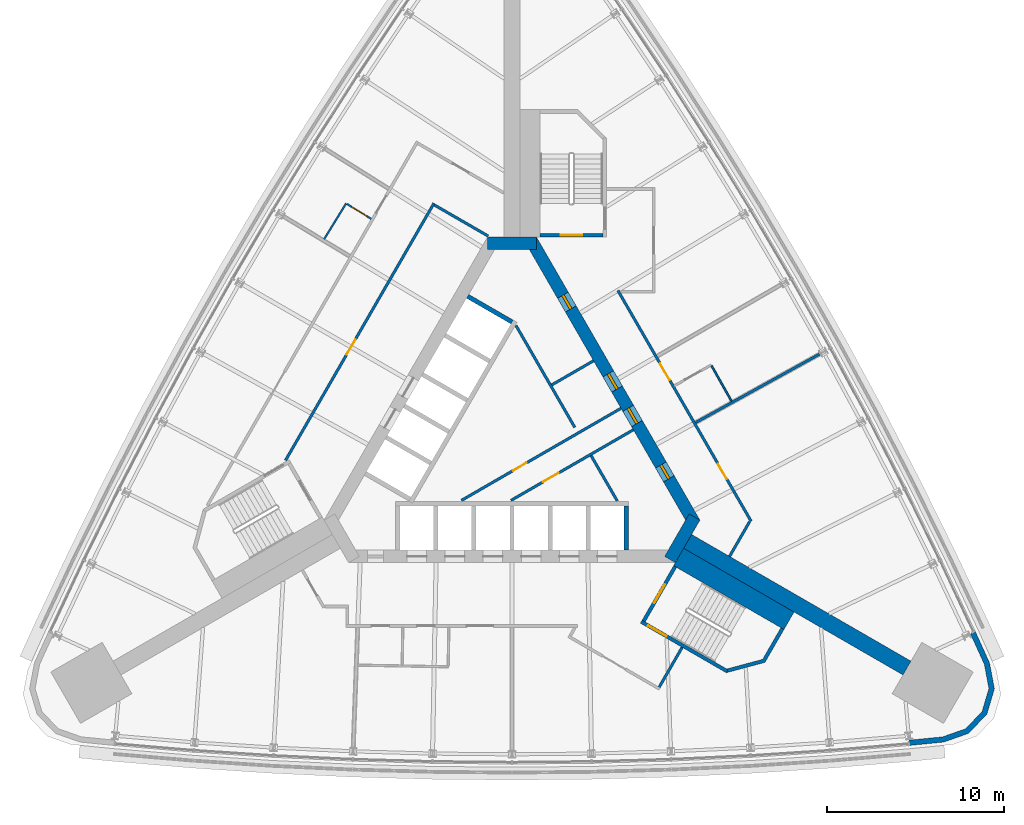
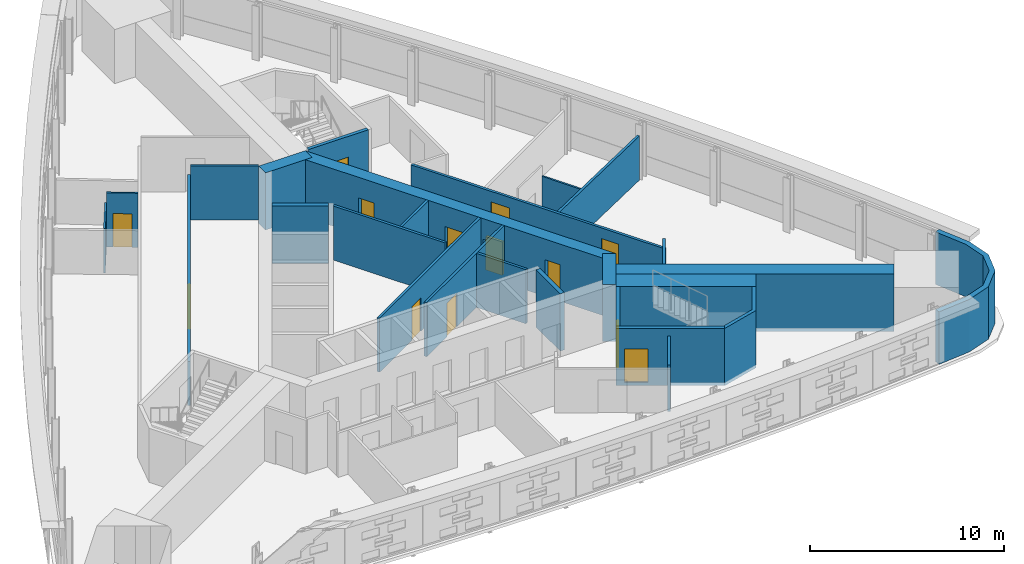
# One storey, part 11 of 14: 26 walls, 13 doors, 13 openings.
"""IFC4 building model written with IfcOpenShell, lengths in metres."""

from ifc_helpers import new_model, si_unit, direction, frame, frame_2d, origin, place, context, subcontext, project, spatial, polyline, rectangle, outline, extrude, material, layer, layer_set, type_object, element, fill, save


model = new_model("IFC4")

# Units and contexts
model_context = context("Model", 3, precision=1e-05, world=origin(), true_north=direction((0.0, 1.0)))
body_context = subcontext(model_context, "Body", "Model", "MODEL_VIEW")
ifc_project = project(units=[si_unit("LENGTHUNIT", "METRE"), si_unit("AREAUNIT", "SQUARE_METRE"), si_unit("VOLUMEUNIT", "CUBIC_METRE"), si_unit("PLANEANGLEUNIT", "RADIAN"), si_unit("MASSUNIT", "GRAM", prefix="KILO")], contexts=[model_context])

# Site, building, storey
site_placement = place(None, origin())
site = spatial("IfcSite", under=ifc_project, at=site_placement, CompositionType="ELEMENT")
building_placement = place(site_placement, origin())
building = spatial("IfcBuilding", under=site, at=building_placement, Name="Noor Cloister Tower", CompositionType="ELEMENT")
storey_placement = place(building_placement, frame((0.0, 0.0, 34.800048828125)))
storey = spatial("IfcBuildingStorey", under=building, at=storey_placement, Name="L08", CompositionType="ELEMENT", Elevation=34.800048828125)

# Wall
ifc_material_1 = material(Name="Concrete C80/95", Category="concrete")
ifc_layer_1 = layer(ifc_material_1, 0.89990234375)
ifc_layer_set_1 = layer_set([ifc_layer_1], Name="Buttress wall 900 C80/95")
wall_type_1 = type_object("IfcWallType", Name="Buttress wall 900 C80/95", PredefinedType="SHEAR", material=ifc_layer_set_1)
wall_1_placement = place(storey_placement, frame((9.921630859375, -5.728271484375, -0.199951171875), z_axis=(0.0, 0.0, 1.0), x_axis=(0.866025331845, -0.500000124603, 0.0)))
element("IfcWall", 1, at=wall_1_placement, inside=storey, type_object=wall_type_1, Name="Buttress wall SE L08", PredefinedType="SHEAR", context=body_context, shape_type="SweptSolid", body=[
    extrude(rectangle(XDim=14.30859375, YDim=0.89990234375, at=frame_2d((7.154296875, 0.0))), origin(), (0.0, 0.0, 1.0), 3.599853515625),
])

# Wall, opening, door
ifc_material_2 = material(Name="Concrete C30/37", Category="concrete")
ifc_layer_2 = layer(ifc_material_2, 0.14990234375)
ifc_layer_set_2 = layer_set([ifc_layer_2], Name="Core partition 150 C30/37")
wall_type_2 = type_object("IfcWallType", Name="Core partition 150 C30/37", PredefinedType="PARTITIONING", material=ifc_layer_set_2)
wall_2_placement = place(storey_placement, frame((-2.8544921875, -3.4130859375, 0.0), z_axis=(0.0, 0.0, 1.0), x_axis=(0.866030102318, 0.499991861813, 0.0)))
wall_2 = element("IfcWall", 2, at=wall_2_placement, inside=storey, type_object=wall_type_2, Name="Core room partition L08 1", PredefinedType="PARTITIONING", context=body_context, shape_type="SweptSolid", body=[
    extrude(rectangle(XDim=10.406982421875, YDim=0.14990234375, at=frame_2d((5.20361328125, 0.0))), origin(), (0.0, 0.0, 1.0), 3.39990234375),
])
opening_1_placement = place(wall_2_placement, frame((3.3544921875, 0.0, 0.0)))
opening_1 = element("IfcOpeningElement", 3, at=opening_1_placement, cuts=wall_2, Name="Opening L08-906", PredefinedType="OPENING", context=body_context, shape_type="SweptSolid", body=[
    extrude(rectangle(XDim=0.89990234375, YDim=2.10009765625, at=frame_2d((0.449951171875, 1.050048828125))), frame((0.0, 0.0849609375, 0.0), z_axis=(0.0, -1.0, 0.0), x_axis=(1.0, 0.0, 0.0)), (0.0, 0.0, 1.0), 0.169921875),
])
ifc_material_3 = material(Name="Steel", Category="steel")
door_type_1 = type_object("IfcDoorType", Name="Core door 900 x 2100 FD120", OperationType="SINGLE_SWING_LEFT", PredefinedType="DOOR", material=ifc_material_3)
door_1_placement = place(opening_1_placement, origin())
door_1 = element("IfcDoor", 4, at=door_1_placement, inside=storey, type_object=door_type_1, Name="Core door 6 L08", OperationType="SINGLE_SWING_RIGHT", OverallHeight=2.10009765625, OverallWidth=0.89990234375, PredefinedType="DOOR", context=body_context, shape_type="SweptSolid", body=[
    extrude(rectangle(XDim=0.89990234375, YDim=2.10009765625, at=frame_2d((0.449951171875, 1.050048828125))), frame((0.0, 0.02490234375, 0.0), z_axis=(0.0, -1.0, 0.0), x_axis=(1.0, 0.0, 0.0)), (0.0, 0.0, 1.0), 0.050048828125),
])
fill(opening_1, door_1)

# Wall
wall_3_placement = place(storey_placement, frame((5.944091796875, -3.439208984375, 0.0), z_axis=(0.0, 0.0, 1.0), x_axis=(-0.499997367627, 0.86602692358, 0.0)))
element("IfcWall", 5, at=wall_3_placement, inside=storey, type_object=wall_type_2, Name="Core room partition L08 2", PredefinedType="PARTITIONING", context=body_context, shape_type="SweptSolid", body=[
    extrude(rectangle(XDim=2.94677734375, YDim=0.14990234375, at=frame_2d((1.473388671875, 0.0))), origin(), (0.0, 0.0, 1.0), 3.39990234375),
])

# Wall, opening, door
wall_4_placement = place(storey_placement, frame((-0.054443359375, -3.4130859375, 0.0), z_axis=(0.0, 0.0, 1.0), x_axis=(0.866026668906, 0.499997808738, 0.0)))
wall_4 = element("IfcWall", 6, at=wall_4_placement, inside=storey, type_object=wall_type_2, Name="Core room partition L08 3", PredefinedType="PARTITIONING", context=body_context, shape_type="SweptSolid", body=[
    extrude(rectangle(XDim=7.98193359375, YDim=0.14990234375, at=frame_2d((3.990966796875, 0.0))), origin(), (0.0, 0.0, 1.0), 3.39990234375),
])
opening_2_placement = place(wall_4_placement, frame((2.092041015625, 0.0, 0.0)))
opening_2 = element("IfcOpeningElement", 7, at=opening_2_placement, cuts=wall_4, Name="Opening L08-905", PredefinedType="OPENING", context=body_context, shape_type="SweptSolid", body=[
    extrude(rectangle(XDim=1.0, YDim=2.10009765625, at=frame_2d((0.5, 1.050048828125))), frame((0.0, 0.0849609375, 0.0), z_axis=(0.0, -1.0, 0.0), x_axis=(1.0, 0.0, 0.0)), (0.0, 0.0, 1.0), 0.169921875),
])
ifc_material_4 = material(Name="Steel", Category="steel")
door_type_2 = type_object("IfcDoorType", Name="Core door 1000 x 2100 FD60", OperationType="SINGLE_SWING_LEFT", PredefinedType="DOOR", material=ifc_material_4)
door_2_placement = place(opening_2_placement, origin())
door_2 = element("IfcDoor", 8, at=door_2_placement, inside=storey, type_object=door_type_2, Name="Core door 5 L08", OperationType="SINGLE_SWING_LEFT", OverallHeight=2.10009765625, OverallWidth=1.0, PredefinedType="DOOR", context=body_context, shape_type="SweptSolid", body=[
    extrude(rectangle(XDim=1.0, YDim=2.10009765625, at=frame_2d((0.5, 1.050048828125))), frame((0.0, 0.02490234375, 0.0), z_axis=(0.0, -1.0, 0.0), x_axis=(1.0, 0.0, 0.0)), (0.0, 0.0, 1.0), 0.050048828125),
])
fill(opening_2, door_2)

# Walls
wall_5_placement = place(storey_placement, frame((3.5458984375, 0.715087890625, 0.0), z_axis=(0.0, 0.0, 1.0), x_axis=(-0.50002895357, 0.866008686788, 0.0)))
element("IfcWall", 9, at=wall_5_placement, inside=storey, type_object=wall_type_2, Name="Core room partition L08 4", PredefinedType="PARTITIONING", context=body_context, shape_type="SweptSolid", body=[
    extrude(rectangle(XDim=6.64208984375, YDim=0.14990234375, at=frame_2d((3.321044921875, 0.0))), origin(), (0.0, 0.0, 1.0), 3.39990234375),
])
wall_6_placement = place(storey_placement, frame((2.248291015625, 3.1123046875, 0.0), z_axis=(0.0, 0.0, 1.0), x_axis=(0.866012511928, 0.500022328685, 0.0)))
element("IfcWall", 10, at=wall_6_placement, inside=storey, type_object=wall_type_2, Name="Core room partition L08 5", PredefinedType="PARTITIONING", context=body_context, shape_type="SweptSolid", body=[
    extrude(rectangle(XDim=2.72509765625, YDim=0.14990234375, at=frame_2d((1.362548828125, 0.0))), origin(), (0.0, 0.0, 1.0), 3.39990234375),
])
ifc_material_5 = material(Name="Concrete C80/95", Category="concrete")
ifc_layer_3 = layer(ifc_material_5, 0.699951171875)
ifc_layer_set_3 = layer_set([ifc_layer_3], Name="Core wall 700 C80/95")
wall_type_3 = type_object("IfcWallType", Name="Core wall 700 C80/95", PredefinedType="SHEAR", material=ifc_layer_set_3)
wall_7_placement = place(storey_placement, frame((8.925537109375, -6.753173828125, -0.199951171875), z_axis=(0.0, 0.0, 1.0), x_axis=(0.500042739161, 0.866000726912, 0.0)))
element("IfcWall", 11, at=wall_7_placement, inside=storey, type_object=wall_type_3, Name="Core wall L08 2", PredefinedType="SHEAR", context=body_context, shape_type="SweptSolid", body=[
    extrude(rectangle(XDim=2.771240234375, YDim=0.699951171875, at=frame_2d((1.3857421875, 0.0))), origin(), (0.0, 0.0, 1.0), 3.599853515625),
])

# Wall, openings, doors
wall_8_placement = place(storey_placement, frame((10.311279296875, -4.703125, -0.199951171875), z_axis=(0.0, 0.0, 1.0), x_axis=(-0.500001446645, 0.866024568562, 0.0)))
wall_8 = element("IfcWall", 12, at=wall_8_placement, inside=storey, type_object=wall_type_3, Name="Core wall L08 3", PredefinedType="SHEAR", context=body_context, shape_type="SweptSolid", body=[
    extrude(rectangle(XDim=18.45751953125, YDim=0.699951171875, at=frame_2d((9.228759765625, 0.0))), origin(), (0.0, 0.0, 1.0), 3.599853515625),
])
opening_3_placement = place(wall_8_placement, frame((6.5, 0.0, 0.199951171875)))
opening_3 = element("IfcOpeningElement", 13, at=opening_3_placement, cuts=wall_8, Name="Opening L08-901", PredefinedType="OPENING", context=body_context, shape_type="SweptSolid", body=[
    extrude(rectangle(XDim=1.0, YDim=2.10009765625, at=frame_2d((0.5, 1.050048828125))), frame((0.0, 0.35986328125, 0.0), z_axis=(0.0, -1.0, 0.0), x_axis=(1.0, 0.0, 0.0)), (0.0, 0.0, 1.0), 0.719970703125),
])
opening_4_placement = place(wall_8_placement, frame((2.902099609375, 0.0, 0.199951171875)))
opening_4 = element("IfcOpeningElement", 14, at=opening_4_placement, cuts=wall_8, Name="Opening L08-902", PredefinedType="OPENING", context=body_context, shape_type="SweptSolid", body=[
    extrude(rectangle(XDim=0.89990234375, YDim=2.10009765625, at=frame_2d((0.449951171875, 1.050048828125))), frame((0.0, 0.35986328125, 0.0), z_axis=(0.0, -1.0, 0.0), x_axis=(1.0, 0.0, 0.0)), (0.0, 0.0, 1.0), 0.719970703125),
])
opening_5_placement = place(wall_8_placement, frame((8.75, 0.0, 0.199951171875)))
opening_5 = element("IfcOpeningElement", 15, at=opening_5_placement, cuts=wall_8, Name="Opening L08-903", PredefinedType="OPENING", context=body_context, shape_type="SweptSolid", body=[
    extrude(rectangle(XDim=1.0, YDim=2.10009765625, at=frame_2d((0.5, 1.050048828125))), frame((0.0, 0.35986328125, 0.0), z_axis=(0.0, -1.0, 0.0), x_axis=(1.0, 0.0, 0.0)), (0.0, 0.0, 1.0), 0.719970703125),
])
opening_6_placement = place(wall_8_placement, frame((13.976806640625, 0.0, 0.199951171875)))
opening_6 = element("IfcOpeningElement", 16, at=opening_6_placement, cuts=wall_8, Name="Opening L08-904", PredefinedType="OPENING", context=body_context, shape_type="SweptSolid", body=[
    extrude(rectangle(XDim=0.89990234375, YDim=2.10009765625, at=frame_2d((0.449951171875, 1.050048828125))), frame((0.0, 0.35986328125, 0.0), z_axis=(0.0, -1.0, 0.0), x_axis=(1.0, 0.0, 0.0)), (0.0, 0.0, 1.0), 0.719970703125),
])
ifc_material_6 = material(Name="Steel", Category="steel")
door_type_3 = type_object("IfcDoorType", Name="Core door 1000 x 2100 FD120", OperationType="SINGLE_SWING_LEFT", PredefinedType="DOOR", material=ifc_material_6)
door_3_placement = place(opening_3_placement, origin())
door_3 = element("IfcDoor", 17, at=door_3_placement, inside=storey, type_object=door_type_3, Name="Core door 1 L08", OperationType="SINGLE_SWING_LEFT", OverallHeight=2.10009765625, OverallWidth=1.0, PredefinedType="DOOR", context=body_context, shape_type="SweptSolid", body=[
    extrude(rectangle(XDim=1.0, YDim=2.10009765625, at=frame_2d((0.5, 1.050048828125))), frame((0.0, 0.074951171875, 0.0), z_axis=(0.0, -1.0, 0.0), x_axis=(1.0, 0.0, 0.0)), (0.0, 0.0, 1.0), 0.14990234375),
])
fill(opening_3, door_3)
door_4_placement = place(opening_5_placement, origin())
door_4 = element("IfcDoor", 18, at=door_4_placement, inside=storey, type_object=door_type_2, Name="Core door 3 L08", OperationType="SINGLE_SWING_LEFT", OverallHeight=2.10009765625, OverallWidth=1.0, PredefinedType="DOOR", context=body_context, shape_type="SweptSolid", body=[
    extrude(rectangle(XDim=1.0, YDim=2.10009765625, at=frame_2d((0.5, 1.050048828125))), frame((0.0, 0.074951171875, 0.0), z_axis=(0.0, -1.0, 0.0), x_axis=(1.0, 0.0, 0.0)), (0.0, 0.0, 1.0), 0.14990234375),
])
fill(opening_5, door_4)
ifc_material_7 = material(Name="Steel", Category="steel")
door_type_4 = type_object("IfcDoorType", Name="Core door 900 x 2100 FD60", OperationType="SINGLE_SWING_LEFT", PredefinedType="DOOR", material=ifc_material_7)
door_5_placement = place(opening_4_placement, origin())
door_5 = element("IfcDoor", 19, at=door_5_placement, inside=storey, type_object=door_type_4, Name="Core door 2 L08", OperationType="SINGLE_SWING_RIGHT", OverallHeight=2.10009765625, OverallWidth=0.89990234375, PredefinedType="DOOR", context=body_context, shape_type="SweptSolid", body=[
    extrude(rectangle(XDim=0.89990234375, YDim=2.10009765625, at=frame_2d((0.449951171875, 1.050048828125))), frame((0.0, 0.074951171875, 0.0), z_axis=(0.0, -1.0, 0.0), x_axis=(1.0, 0.0, 0.0)), (0.0, 0.0, 1.0), 0.14990234375),
])
fill(opening_4, door_5)
door_6_placement = place(opening_6_placement, origin())
door_6 = element("IfcDoor", 20, at=door_6_placement, inside=storey, type_object=door_type_4, Name="Core door 4 L08", OperationType="SINGLE_SWING_RIGHT", OverallHeight=2.10009765625, OverallWidth=0.89990234375, PredefinedType="DOOR", context=body_context, shape_type="SweptSolid", body=[
    extrude(rectangle(XDim=0.89990234375, YDim=2.10009765625, at=frame_2d((0.449951171875, 1.050048828125))), frame((0.0, 0.074951171875, 0.0), z_axis=(0.0, -1.0, 0.0), x_axis=(1.0, 0.0, 0.0)), (0.0, 0.0, 1.0), 0.14990234375),
])
fill(opening_6, door_6)

# Wall
wall_9_placement = place(storey_placement, frame((1.3857421875, 11.1064453125, -0.199951171875), z_axis=(0.0, 0.0, 1.0), x_axis=(-1.0, 0.0, 0.0)))
element("IfcWall", 21, at=wall_9_placement, inside=storey, type_object=wall_type_3, Name="Core wall L08 4", PredefinedType="SHEAR", context=body_context, shape_type="SweptSolid", body=[
    extrude(rectangle(XDim=2.771484375, YDim=0.699951171875, at=frame_2d((1.3857421875, 0.0))), origin(), (0.0, 0.0, 1.0), 3.599853515625),
])

# Wall, opening, door
ifc_material_8 = material(Name="Fire-rated gypsum board partition on steel studs, 150 mm", Category="steel")
ifc_layer_4 = layer(ifc_material_8, 0.14990234375)
ifc_layer_set_4 = layer_set([ifc_layer_4], Name="Fire lobby wall 150")
wall_type_4 = type_object("IfcWallType", Name="Fire lobby wall 150", PredefinedType="PARTITIONING", material=ifc_layer_set_4)
wall_10_placement = place(storey_placement, frame((-4.40673828125, 13.373779296875, 0.0), z_axis=(0.0, 0.0, 1.0), x_axis=(-0.499997181693, -0.866027030928, 0.0)))
wall_10 = element("IfcWall", 22, at=wall_10_placement, inside=storey, type_object=wall_type_4, Name="Fire lobby wall 150 L08 002", PredefinedType="PARTITIONING", context=body_context, shape_type="SweptSolid", body=[
    extrude(rectangle(XDim=16.76953125, YDim=0.14990234375, at=frame_2d((8.384765625, 0.0))), origin(), (0.0, 0.0, 1.0), 2.76806640625),
])
opening_7_placement = place(wall_10_placement, frame((8.878662109375, 0.0, 0.0)))
opening_7 = element("IfcOpeningElement", 23, at=opening_7_placement, cuts=wall_10, Name="Opening L08-003", PredefinedType="OPENING", context=body_context, shape_type="SweptSolid", body=[
    extrude(rectangle(XDim=1.0, YDim=2.10009765625, at=frame_2d((0.5, 1.050048828125))), frame((0.0, 0.0849609375, 0.0), z_axis=(0.0, -1.0, 0.0), x_axis=(1.0, 0.0, 0.0)), (0.0, 0.0, 1.0), 0.169921875),
])
ifc_material_9 = material(Name="Timber door leaf with steel frame", Category="steel")
door_type_5 = type_object("IfcDoorType", Name="Fire lobby door 1000", OperationType="NOTDEFINED", PredefinedType="DOOR", material=ifc_material_9)
door_7_placement = place(opening_7_placement, origin())
door_7 = element("IfcDoor", 24, at=door_7_placement, inside=storey, type_object=door_type_5, Name="Fire lobby door 1000 L08-003", OperationType="SINGLE_SWING_RIGHT", OverallHeight=2.10009765625, OverallWidth=1.0, PredefinedType="DOOR", context=body_context, shape_type="SweptSolid", body=[
    extrude(rectangle(XDim=1.0, YDim=2.10009765625, at=frame_2d((0.5, 1.050048828125))), frame((0.0, 0.02490234375, 0.0), z_axis=(0.0, -1.0, 0.0), x_axis=(1.0, 0.0, 0.0)), (0.0, 0.0, 1.0), 0.050048828125),
])
fill(opening_7, door_7)

# Wall
wall_11_placement = place(storey_placement, frame((-4.379150390625, 13.271484375, 0.0), z_axis=(0.0, 0.0, 1.0), x_axis=(0.866019471182, -0.500010275428, 0.0)))
element("IfcWall", 25, at=wall_11_placement, inside=storey, type_object=wall_type_4, Name="Fire lobby wall 150 L08 008", PredefinedType="PARTITIONING", context=body_context, shape_type="SweptSolid", body=[
    extrude(rectangle(XDim=3.5, YDim=0.14990234375, at=frame_2d((1.75, 0.0))), origin(), (0.0, 0.0, 1.0), 3.39990234375),
])

# Wall, openings, doors
ifc_material_10 = material(Name="Gypsum board partition on steel studs, 150 mm", Category="steel")
ifc_layer_5 = layer(ifc_material_10, 0.14990234375)
ifc_layer_set_5 = layer_set([ifc_layer_5], Name="Flat wall 150")
wall_type_5 = type_object("IfcWallType", Name="Flat wall 150", PredefinedType="PARTITIONING", material=ifc_layer_set_5)
wall_12_placement = place(storey_placement, frame((5.9814453125, 8.4462890625, 0.0), z_axis=(0.0, 0.0, 1.0), x_axis=(0.499996620721, -0.866027354803, 0.0)))
wall_12 = element("IfcWall", 26, at=wall_12_placement, inside=storey, type_object=wall_type_5, Name="Flat wall 150 L08 003", PredefinedType="PARTITIONING", context=body_context, shape_type="SweptSolid", body=[
    extrude(rectangle(XDim=15.056640625, YDim=0.14990234375, at=frame_2d((7.5283203125, 0.0))), origin(), (0.0, 0.0, 1.0), 2.76806640625),
])
opening_8_placement = place(wall_12_placement, frame((11.311279296875, 0.0, 0.0)))
opening_8 = element("IfcOpeningElement", 27, at=opening_8_placement, cuts=wall_12, Name="Opening L08-004", PredefinedType="OPENING", context=body_context, shape_type="SweptSolid", body=[
    extrude(rectangle(XDim=1.0, YDim=2.10009765625, at=frame_2d((0.5, 1.050048828125))), frame((0.0, 0.0849609375, 0.0), z_axis=(0.0, -1.0, 0.0), x_axis=(1.0, 0.0, 0.0)), (0.0, 0.0, 1.0), 0.169921875),
])
opening_9_placement = place(wall_12_placement, frame((4.75390625, 0.0, 0.0)))
opening_9 = element("IfcOpeningElement", 28, at=opening_9_placement, cuts=wall_12, Name="Opening L08-005", PredefinedType="OPENING", context=body_context, shape_type="SweptSolid", body=[
    extrude(rectangle(XDim=1.10009765625, YDim=2.10009765625, at=frame_2d((0.550048828125, 1.050048828125))), frame((0.0, 0.0849609375, 0.0), z_axis=(0.0, -1.0, 0.0), x_axis=(1.0, 0.0, 0.0)), (0.0, 0.0, 1.0), 0.169921875),
])
ifc_material_11 = material(Name="Timber door leaf with steel frame", Category="steel")
door_type_6 = type_object("IfcDoorType", Name="Interior door 1000 FD60", OperationType="NOTDEFINED", PredefinedType="DOOR", material=ifc_material_11)
door_8_placement = place(opening_8_placement, origin())
door_8 = element("IfcDoor", 29, at=door_8_placement, inside=storey, type_object=door_type_6, Name="Interior door 1000 L08-004", OperationType="SINGLE_SWING_RIGHT", OverallHeight=2.10009765625, OverallWidth=1.0, PredefinedType="DOOR", context=body_context, shape_type="SweptSolid", body=[
    extrude(rectangle(XDim=1.0, YDim=2.10009765625, at=frame_2d((0.5, 1.050048828125))), frame((0.0, 0.02490234375, 0.0), z_axis=(0.0, -1.0, 0.0), x_axis=(1.0, 0.0, 0.0)), (0.0, 0.0, 1.0), 0.050048828125),
])
fill(opening_8, door_8)
ifc_material_12 = material(Name="Timber door leaf with steel frame", Category="steel")
door_type_7 = type_object("IfcDoorType", Name="Resident room door 1100", OperationType="NOTDEFINED", PredefinedType="DOOR", material=ifc_material_12)
door_9_placement = place(opening_9_placement, origin())
door_9 = element("IfcDoor", 30, at=door_9_placement, inside=storey, type_object=door_type_7, Name="Resident room door 1100 L08-005", OperationType="SINGLE_SWING_LEFT", OverallHeight=2.10009765625, OverallWidth=1.10009765625, PredefinedType="DOOR", context=body_context, shape_type="SweptSolid", body=[
    extrude(rectangle(XDim=1.10009765625, YDim=2.10009765625, at=frame_2d((0.550048828125, 1.050048828125))), frame((0.0, 0.02490234375, 0.0), z_axis=(0.0, -1.0, 0.0), x_axis=(1.0, 0.0, 0.0)), (0.0, 0.0, 1.0), 0.050048828125),
])
fill(opening_9, door_9)

# Walls
wall_13_placement = place(storey_placement, frame((8.313720703125, -13.963134765625, 0.0), z_axis=(0.0, 0.0, 1.0), x_axis=(0.499936506574, 0.866062058628, 0.0)))
element("IfcWall", 31, at=wall_13_placement, inside=storey, type_object=wall_type_5, Name="Flat wall 150 L08 010", PredefinedType="PARTITIONING", context=body_context, shape_type="SweptSolid", body=[
    extrude(rectangle(XDim=2.599853515625, YDim=0.14990234375, at=frame_2d((1.2998046875, 0.0))), origin(), (0.0, 0.0, 1.0), 2.9228515625),
])
wall_14_placement = place(storey_placement, frame((12.2900390625, -6.575927734375, 0.0), z_axis=(0.0, 0.0, 1.0), x_axis=(0.499946688677, 0.866056180903, 0.0)))
element("IfcWall", 32, at=wall_14_placement, inside=storey, type_object=wall_type_5, Name="Flat wall 150 L08 012", PredefinedType="PARTITIONING", context=body_context, shape_type="SweptSolid", body=[
    extrude(rectangle(XDim=2.261962890625, YDim=0.14990234375, at=frame_2d((1.130859375, 0.0))), origin(), (0.0, 0.0, 1.0), 3.39990234375),
])
wall_15_placement = place(storey_placement, frame((17.3671875, 4.848388671875, 0.0), z_axis=(0.0, 0.0, 1.0), x_axis=(-0.875233702412, -0.483700285469, 0.0)))
element("IfcWall", 33, at=wall_15_placement, inside=storey, type_object=wall_type_5, Name="Flat wall 150 L08 018", PredefinedType="PARTITIONING", context=body_context, shape_type="SweptSolid", body=[
    extrude(rectangle(XDim=7.986328125, YDim=0.14990234375, at=frame_2d((3.9931640625, 0.0))), origin(), (0.0, 0.0, 1.0), 2.76806640625),
])
ifc_material_13 = material(Name="Limestone", Category="masonry")
ifc_layer_6 = layer(ifc_material_13, 0.300048828125)
ifc_layer_set_6 = layer_set([ifc_layer_6], Name="Limestone cladding 300")
wall_type_6 = type_object("IfcWallType", Name="Limestone cladding 300", PredefinedType="NOTDEFINED", material=ifc_layer_set_6)
wall_16_placement = place(storey_placement, origin())
element("IfcWall", 34, at=wall_16_placement, inside=storey, type_object=wall_type_6, Name="Limestone pier cladding L08 2.1", PredefinedType="NOTDEFINED", context=body_context, shape_type="SweptSolid", body=[
    extrude(outline(polyline([(22.467041015625, -17.254150390625), (24.386474609375, -17.066162109375), (25.7958984375, -16.570556640625), (26.825439453125, -15.487548828125), (27.24853515625, -14.0546875), (26.972900390625, -12.586181640625), (26.176025390625, -10.830078125), (25.90283203125, -10.9541015625), (26.684814453125, -12.67724609375), (26.9404296875, -14.0390625), (26.55810546875, -15.333251953125), (25.62841796875, -16.3115234375), (24.321044921875, -16.77099609375), (22.43798828125, -16.95556640625), (22.467041015625, -17.254150390625)])), origin(), (0.0, 0.0, 1.0), 3.300048828125),
])
ifc_material_14 = material(Name="Gypsum board partition on steel studs, 100 mm", Category="steel")
ifc_layer_7 = layer(ifc_material_14, 0.10009765625)
ifc_layer_set_7 = layer_set([ifc_layer_7], Name="Partition 100")
wall_type_7 = type_object("IfcWallType", Name="Partition 100", PredefinedType="PARTITIONING", material=ifc_layer_set_7)
wall_17_placement = place(storey_placement, frame((-10.615966796875, 11.338623046875, 0.0), z_axis=(0.0, 0.0, 1.0), x_axis=(0.524137571403, 0.85163361033, 0.0)))
element("IfcWall", 35, at=wall_17_placement, inside=storey, type_object=wall_type_7, Name="Partition 100 L08 025", PredefinedType="PARTITIONING", context=body_context, shape_type="SweptSolid", body=[
    extrude(rectangle(XDim=2.375, YDim=0.10009765625, at=frame_2d((1.1875, 0.0))), origin(), (0.0, 0.0, 1.0), 2.76806640625),
])
wall_18_placement = place(storey_placement, frame((12.404541015625, 2.192138671875, 0.0), z_axis=(0.0, 0.0, 1.0), x_axis=(-0.491840077016, 0.870685556697, 0.0)))
element("IfcWall", 36, at=wall_18_placement, inside=storey, type_object=wall_type_7, Name="Partition 100 L08 026", PredefinedType="PARTITIONING", context=body_context, shape_type="SweptSolid", body=[
    extrude(rectangle(XDim=2.296875, YDim=0.10009765625, at=frame_2d((1.1484375, 0.0))), origin(), (0.0, 0.0, 1.0), 2.76806640625),
])

# Wall, opening, door
wall_19_placement = place(storey_placement, frame((-7.951171875, 12.487548828125, 0.0), z_axis=(0.0, 0.0, 1.0), x_axis=(-0.851658316705, 0.524097425664, 0.0)))
wall_19 = element("IfcWall", 37, at=wall_19_placement, inside=storey, type_object=wall_type_7, Name="Partition 100 L08 029", PredefinedType="PARTITIONING", context=body_context, shape_type="SweptSolid", body=[
    extrude(rectangle(XDim=1.617431640625, YDim=0.10009765625, at=frame_2d((0.80859375, 0.0))), origin(), (0.0, 0.0, 1.0), 3.39990234375),
])
opening_10_placement = place(wall_19_placement, frame((0.2998046875, 0.0, 0.0)))
opening_10 = element("IfcOpeningElement", 38, at=opening_10_placement, cuts=wall_19, Name="Opening L08-014", PredefinedType="OPENING", context=body_context, shape_type="SweptSolid", body=[
    extrude(rectangle(XDim=1.0, YDim=2.10009765625, at=frame_2d((0.5, 1.050048828125))), frame((0.0, 0.06005859375, 0.0), z_axis=(0.0, -1.0, 0.0), x_axis=(1.0, 0.0, 0.0)), (0.0, 0.0, 1.0), 0.1201171875),
])
ifc_material_15 = material(Name="Timber door leaf with steel frame", Category="steel")
door_type_8 = type_object("IfcDoorType", Name="Interior door 1000", OperationType="NOTDEFINED", PredefinedType="DOOR", material=ifc_material_15)
door_10_placement = place(opening_10_placement, origin())
door_10 = element("IfcDoor", 39, at=door_10_placement, inside=storey, type_object=door_type_8, Name="Interior door 1000 L08-014", OperationType="SINGLE_SWING_LEFT", OverallHeight=2.10009765625, OverallWidth=1.0, PredefinedType="DOOR", context=body_context, shape_type="SweptSolid", body=[
    extrude(rectangle(XDim=1.0, YDim=2.10009765625, at=frame_2d((0.5, 1.050048828125))), frame((0.0, 0.02490234375, 0.0), z_axis=(0.0, -1.0, 0.0), x_axis=(1.0, 0.0, 0.0)), (0.0, 0.0, 1.0), 0.050048828125),
])
fill(opening_10, door_10)

# Walls
ifc_material_16 = material(Name="Concrete C80/95", Category="concrete")
ifc_layer_8 = layer(ifc_material_16, 0.25)
ifc_layer_set_8 = layer_set([ifc_layer_8], Name="Shaft wall 250 C80/95")
wall_type_8 = type_object("IfcWallType", Name="Shaft wall 250 C80/95", PredefinedType="PARTITIONING", material=ifc_layer_set_8)
wall_20_placement = place(storey_placement, frame((6.449951171875, -6.228271484375, -0.199951171875), z_axis=(0.0, 0.0, 1.0), x_axis=(0.0, 1.0, 0.0)))
element("IfcWall", 40, at=wall_20_placement, inside=storey, type_object=wall_type_8, Name="Lift shaft wall L08 S 7", PredefinedType="PARTITIONING", context=body_context, shape_type="SweptSolid", body=[
    extrude(rectangle(XDim=2.5, YDim=0.25, at=frame_2d((1.25, 0.0))), origin(), (0.0, 0.0, 1.0), 3.599853515625),
])
wall_21_placement = place(storey_placement, frame((-2.50634765625, 8.115478515625, -0.199951171875), z_axis=(0.0, 0.0, 1.0), x_axis=(0.865996321171, -0.50005036918, 0.0)))
element("IfcWall", 41, at=wall_21_placement, inside=storey, type_object=wall_type_8, Name="Lift shaft wall L08 NW 1", PredefinedType="PARTITIONING", context=body_context, shape_type="SweptSolid", body=[
    extrude(rectangle(XDim=2.900146484375, YDim=0.25, at=frame_2d((1.4501953125, 0.0))), origin(), (0.0, 0.0, 1.0), 3.599853515625),
])
ifc_material_17 = material(Name="Concrete C80/95", Category="concrete")
ifc_layer_9 = layer(ifc_material_17, 1.135986328125)
ifc_layer_set_9 = layer_set([ifc_layer_9], Name="Stair enclosure wall 1136 C80/95")
wall_type_9 = type_object("IfcWallType", Name="Stair enclosure wall 1136 C80/95", PredefinedType="SHEAR", material=ifc_layer_set_9)
wall_22_placement = place(storey_placement, frame((9.41259765625, -6.609619140625, -0.199951171875), z_axis=(0.0, 0.0, 1.0), x_axis=(0.866018442252, -0.500012057535, 0.0)))
element("IfcWall", 42, at=wall_22_placement, inside=storey, type_object=wall_type_9, Name="Stair enclosure wall ST3 L08 riser side", PredefinedType="SHEAR", context=body_context, shape_type="SweptSolid", body=[
    extrude(rectangle(XDim=7.199951171875, YDim=1.1357421875, at=frame_2d((3.60009765625, 0.0))), origin(), (0.0, 0.0, 1.0), 3.599853515625),
])

# Wall, opening, door
ifc_material_18 = material(Name="Concrete C80/95", Category="concrete")
ifc_layer_10 = layer(ifc_material_18, 0.199951171875)
ifc_layer_set_10 = layer_set([ifc_layer_10], Name="Stair enclosure wall 200 C80/95")
wall_type_10 = type_object("IfcWallType", Name="Stair enclosure wall 200 C80/95", PredefinedType="SHEAR", material=ifc_layer_set_10)
wall_23_placement = place(storey_placement, frame((5.135498046875, 11.556396484375, -0.199951171875), z_axis=(0.0, 0.0, 1.0), x_axis=(-1.0, 0.0, 0.0)))
wall_23 = element("IfcWall", 43, at=wall_23_placement, inside=storey, type_object=wall_type_10, Name="Stair enclosure wall ST1 L08 near end", PredefinedType="SHEAR", context=body_context, shape_type="SweptSolid", body=[
    extrude(rectangle(XDim=3.5498046875, YDim=0.199951171875, at=frame_2d((1.77490234375, 0.0))), origin(), (0.0, 0.0, 1.0), 3.599853515625),
])
opening_11_placement = place(wall_23_placement, frame((1.175048828125, 0.0, 0.199951171875)))
opening_11 = element("IfcOpeningElement", 44, at=opening_11_placement, cuts=wall_23, Name="Opening L08-ST1L", PredefinedType="OPENING", context=body_context, shape_type="SweptSolid", body=[
    extrude(rectangle(XDim=1.199951171875, YDim=2.10009765625, at=frame_2d((0.60009765625, 1.050048828125))), frame((0.0, 0.10986328125, 0.0), z_axis=(0.0, -1.0, 0.0), x_axis=(1.0, 0.0, 0.0)), (0.0, 0.0, 1.0), 0.219970703125),
])
ifc_material_19 = material(Name="Steel", Category="steel")
door_type_9 = type_object("IfcDoorType", Name="Stair door 1200 x 2100 FD120", OperationType="SINGLE_SWING_LEFT", PredefinedType="DOOR", material=ifc_material_19)
door_11_placement = place(opening_11_placement, origin())
door_11 = element("IfcDoor", 45, at=door_11_placement, inside=storey, type_object=door_type_9, Name="Stair door ST1 L08", OperationType="SINGLE_SWING_RIGHT", OverallHeight=2.10009765625, OverallWidth=1.199951171875, PredefinedType="DOOR", context=body_context, shape_type="SweptSolid", body=[
    extrude(rectangle(XDim=1.199951171875, YDim=2.10009765625, at=frame_2d((0.60009765625, 1.050048828125))), frame((0.0, 0.02490234375, 0.0), z_axis=(0.0, -1.0, 0.0), x_axis=(1.0, 0.0, 0.0)), (0.0, 0.0, 1.0), 0.050048828125),
])
fill(opening_11, door_11)

wall_24_placement = place(storey_placement, frame((7.440185546875, -10.225830078125, -0.199951171875), z_axis=(0.0, 0.0, 1.0), x_axis=(0.500022077904, 0.866012656725, 0.0)))
wall_24 = element("IfcWall", 46, at=wall_24_placement, inside=storey, type_object=wall_type_10, Name="Stair enclosure wall ST3 L08 near end", PredefinedType="SHEAR", context=body_context, shape_type="SweptSolid", body=[
    extrude(rectangle(XDim=3.550048828125, YDim=0.199951171875, at=frame_2d((1.77490234375, 0.0))), origin(), (0.0, 0.0, 1.0), 3.599853515625),
])
opening_12_placement = place(wall_24_placement, frame((1.175048828125, 0.0, 0.199951171875)))
opening_12 = element("IfcOpeningElement", 47, at=opening_12_placement, cuts=wall_24, Name="Opening L08-ST3L", PredefinedType="OPENING", context=body_context, shape_type="SweptSolid", body=[
    extrude(rectangle(XDim=1.199951171875, YDim=2.10009765625, at=frame_2d((0.60009765625, 1.050048828125))), frame((0.0, 0.10986328125, 0.0), z_axis=(0.0, -1.0, 0.0), x_axis=(1.0, 0.0, 0.0)), (0.0, 0.0, 1.0), 0.219970703125),
])
door_12_placement = place(opening_12_placement, origin())
door_12 = element("IfcDoor", 48, at=door_12_placement, inside=storey, type_object=door_type_9, Name="Stair door ST3 L08", OperationType="SINGLE_SWING_RIGHT", OverallHeight=2.10009765625, OverallWidth=1.199951171875, PredefinedType="DOOR", context=body_context, shape_type="SweptSolid", body=[
    extrude(rectangle(XDim=1.199951171875, YDim=2.10009765625, at=frame_2d((0.60009765625, 1.050048828125))), frame((0.0, 0.02490234375, 0.0), z_axis=(0.0, -1.0, 0.0), x_axis=(1.0, 0.0, 0.0)), (0.0, 0.0, 1.0), 0.050048828125),
])
fill(opening_12, door_12)

wall_25_placement = place(storey_placement, frame((7.3037109375, -10.262451171875, -0.199951171875), z_axis=(0.0, 0.0, 1.0), x_axis=(0.866026594901, -0.49999793692, 0.0)))
wall_25 = element("IfcWall", 49, at=wall_25_placement, inside=storey, type_object=wall_type_10, Name="Stair enclosure wall ST3 L08 outer side", PredefinedType="SHEAR", context=body_context, shape_type="SweptSolid", body=[
    extrude(rectangle(XDim=5.60009765625, YDim=0.199951171875, at=frame_2d((2.800048828125, 0.0))), origin(), (0.0, 0.0, 1.0), 3.599853515625),
])
opening_13_placement = place(wall_25_placement, frame((0.449951171875, 0.0, 0.199951171875)))
opening_13 = element("IfcOpeningElement", 50, at=opening_13_placement, cuts=wall_25, Name="Opening L08-ST3C", PredefinedType="OPENING", context=body_context, shape_type="SweptSolid", body=[
    extrude(rectangle(XDim=1.199951171875, YDim=2.10009765625, at=frame_2d((0.60009765625, 1.050048828125))), frame((0.0, 0.10986328125, 0.0), z_axis=(0.0, -1.0, 0.0), x_axis=(1.0, 0.0, 0.0)), (0.0, 0.0, 1.0), 0.219970703125),
])
door_13_placement = place(opening_13_placement, origin())
door_13 = element("IfcDoor", 51, at=door_13_placement, inside=storey, type_object=door_type_9, Name="Stair door ST3 L08", OperationType="SINGLE_SWING_LEFT", OverallHeight=2.10009765625, OverallWidth=1.199951171875, PredefinedType="DOOR", context=body_context, shape_type="SweptSolid", body=[
    extrude(rectangle(XDim=1.199951171875, YDim=2.10009765625, at=frame_2d((0.60009765625, 1.050048828125))), frame((0.0, 0.02490234375, 0.0), z_axis=(0.0, -1.0, 0.0), x_axis=(1.0, 0.0, 0.0)), (0.0, 0.0, 1.0), 0.050048828125),
])
fill(opening_13, door_13)

# Wall
ifc_material_20 = material(Name="Concrete C80/95", Category="concrete")
wall_type_11 = type_object("IfcWallType", Name="Stair far end wall C80/95", PredefinedType="SHEAR", material=ifc_material_20)
wall_26_placement = place(storey_placement, frame((0.0, 0.0, -0.199951171875)))
element("IfcWall", 52, at=wall_26_placement, inside=storey, type_object=wall_type_11, Name="Stair enclosure wall ST3 L08 far end", PredefinedType="SHEAR", context=body_context, shape_type="SweptSolid", body=[
    extrude(outline(polyline([(12.103515625, -13.14892578125), (14.2890625, -12.5634765625), (15.364013671875, -10.701416015625), (15.19091796875, -10.601318359375), (14.1572265625, -12.3916015625), (12.131591796875, -12.934326171875), (12.20361328125, -12.975830078125), (12.20361328125, -12.975830078125), (12.20361328125, -12.975830078125), (12.20361328125, -12.975830078125), (12.20361328125, -12.975830078125), (12.20361328125, -12.975830078125), (12.20361328125, -12.975830078125), (12.20361328125, -12.975830078125), (12.20361328125, -12.975830078125), (12.20361328125, -12.975830078125), (12.20361328125, -12.975830078125), (12.20361328125, -12.975830078125), (12.20361328125, -12.975830078125), (12.20361328125, -12.975830078125), (12.20361328125, -12.975830078125), (12.20361328125, -12.975830078125), (12.20361328125, -12.975830078125), (12.103515625, -13.14892578125)])), origin(), (0.0, 0.0, 1.0), 3.599853515625),
])

save(model, "model.ifc")
